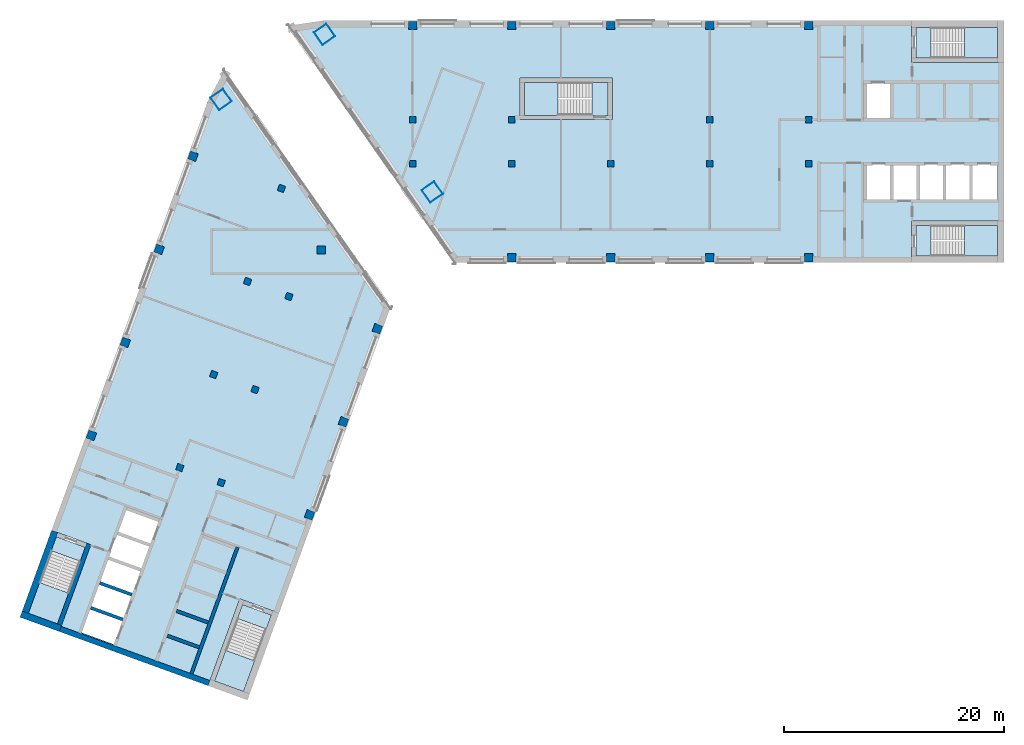
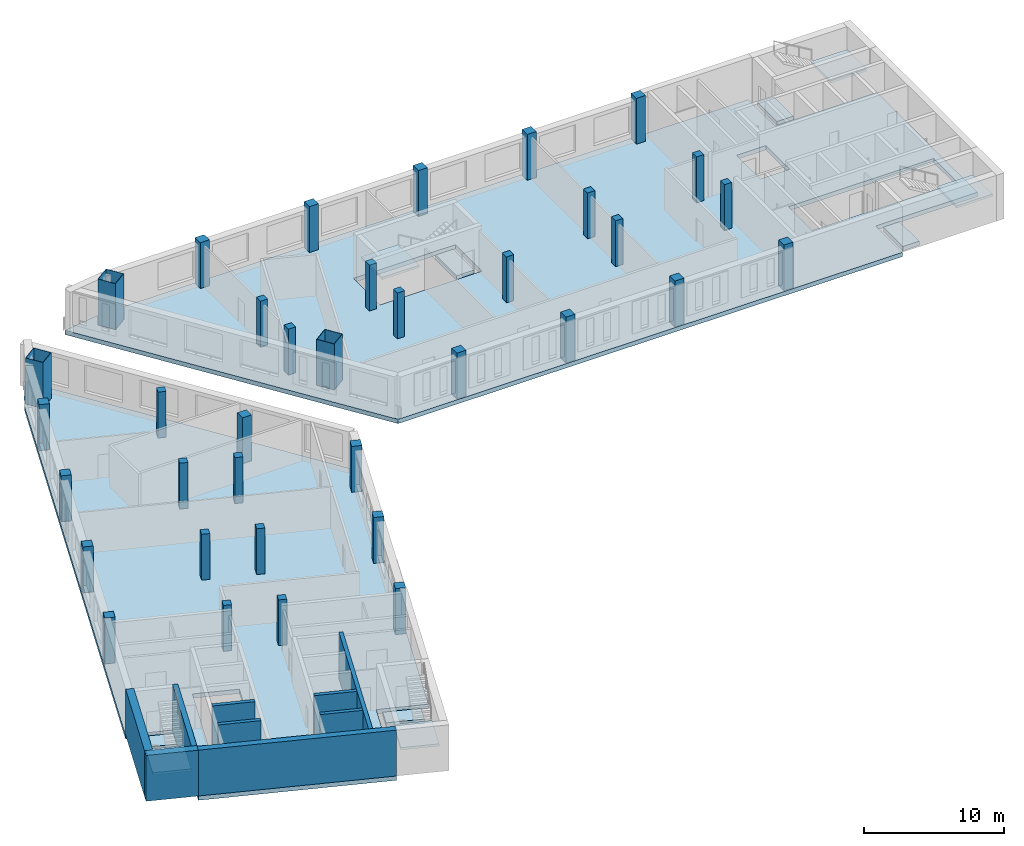
# One storey, part 1 of 8: 36 columns, 12 slabs, 9 walls, 5 elements without a shape of their own.
"""IFC4 building model written with IfcOpenShell, lengths in metres."""

from ifc_helpers import new_model, si_unit, direction, frame, frame_2d, origin, origin_2d, place, context, subcontext, project, spatial, polyline, rectangle, hollow_rectangle, outline, extrude, material, layer, layer_set, material_profile, profile_set, type_object, element, aggregate, save


model = new_model("IFC4")

# Units and contexts
model_context = context("Model", 3, precision=1e-05, world=origin(), true_north=direction((0.0, 1.0)))
body_context = subcontext(model_context, "Body", "Model", "MODEL_VIEW")
ifc_project = project(units=[si_unit("LENGTHUNIT", "METRE"), si_unit("AREAUNIT", "SQUARE_METRE"), si_unit("VOLUMEUNIT", "CUBIC_METRE"), si_unit("PLANEANGLEUNIT", "RADIAN"), si_unit("MASSUNIT", "GRAM", prefix="KILO")], contexts=[model_context])

# Site, building, storey
site_placement = place(None, origin())
site = spatial("IfcSite", under=ifc_project, at=site_placement, CompositionType="ELEMENT")
building_placement = place(site_placement, origin())
building = spatial("IfcBuilding", under=site, at=building_placement, Name="Skarvind Civic Tower", CompositionType="ELEMENT")
storey_placement = place(building_placement, frame((0.0, 0.0, 216.0)))
storey = spatial("IfcBuildingStorey", under=building, at=storey_placement, Name="L51", CompositionType="ELEMENT", Elevation=216.0)

# Columns
ifc_material_1 = material(Name="Concrete C60", Category="concrete")
ifc_material_profile_1 = material_profile(ifc_material_1, rectangle(XDim=0.60009765625, YDim=0.60009765625, at=origin_2d()), Name="RC-600x600")
ifc_profile_set_1 = profile_set([ifc_material_profile_1], Name="Concrete C60")
column_type_1 = type_object("IfcColumnType", Name="Column RC-600x600 C60", PredefinedType="COLUMN", material=ifc_profile_set_1)
for number, where, z_axis, x_axis, name in (
    (1, (54.25, 130.0, 0.0), (0.0, 0.0, 1.0), (1.0, 0.0, 0.0), "Column wing 1 north inner 02 L51"),
    (2, (63.25, 130.0, 0.0), (0.0, 0.0, 1.0), (1.0, 0.0, 0.0), "Column wing 1 north inner 03 L51"),
    (3, (81.25, 130.0, 0.0), (0.0, 0.0, 1.0), (1.0, 0.0, 0.0), "Column wing 1 north inner 05 L51"),
    (4, (90.25, 130.0, 0.0), (0.0, 0.0, 1.0), (1.0, 0.0, 0.0), "Column wing 1 north inner 06 L51"),
    (5, (54.25, 126.0, 0.0), (0.0, 0.0, 1.0), (1.0, 0.0, 0.0), "Column wing 1 south inner 02 L51"),
    (6, (63.25, 126.0, 0.0), (0.0, 0.0, 1.0), (1.0, 0.0, 0.0), "Column wing 1 south inner 03 L51"),
    (7, (72.25, 126.0, 0.0), (0.0, 0.0, 1.0), (1.0, 0.0, 0.0), "Column wing 1 south inner 04 L51"),
    (8, (81.25, 126.0, 0.0), (0.0, 0.0, 1.0), (1.0, 0.0, 0.0), "Column wing 1 south inner 05 L51"),
    (9, (90.25, 126.0, 0.0), (0.0, 0.0, 1.0), (1.0, 0.0, 0.0), "Column wing 1 south inner 06 L51"),
    (10, (43.005615234375, 113.92529296875, 0.0), (0.0, 0.0, 1.0), (-0.342020143326, -0.939692620786, 0.0), "Column wing 2 left inner 02 L51"),
    (11, (39.927490234375, 105.468017578125, 0.0), (0.0, 0.0, 1.0), (-0.342020143326, -0.939692620786, 0.0), "Column wing 2 left inner 03 L51"),
    (12, (36.84912109375, 97.010986328125, 0.0), (0.0, 0.0, 1.0), (-0.342020143326, -0.939692620786, 0.0), "Column wing 2 left inner 04 L51"),
    (13, (42.324951171875, 123.750732421875, 0.0), (0.0, 0.0, 1.0), (-0.342020143326, -0.939692620786, 0.0), "Column wing 2 right inner 01 L51"),
    (14, (39.246826171875, 115.29345703125, 0.0), (0.0, 0.0, 1.0), (-0.342020143326, -0.939692620786, 0.0), "Column wing 2 right inner 02 L51"),
    (15, (36.168701171875, 106.836181640625, 0.0), (0.0, 0.0, 1.0), (-0.342020143326, -0.939692620786, 0.0), "Column wing 2 right inner 03 L51"),
    (16, (33.090576171875, 98.37890625, 0.0), (0.0, 0.0, 1.0), (-0.342020143326, -0.939692620786, 0.0), "Column wing 2 right inner 04 L51"),
):
    element("IfcColumn", number, at=place(storey_placement, frame(where, z_axis=z_axis, x_axis=x_axis)), inside=storey, type_object=column_type_1, Name=name, PredefinedType="COLUMN", context=body_context, shape_type="SweptSolid", body=[
        extrude(rectangle(XDim=0.60009765625, YDim=0.60009765625, at=origin_2d()), origin(), (0.0, 0.0, 1.0), 4.0),
    ])
ifc_material_profile_2 = material_profile(ifc_material_1, rectangle(XDim=0.75, YDim=0.75, at=origin_2d()), Name="RC-750x750")
ifc_profile_set_2 = profile_set([ifc_material_profile_2], Name="Concrete C60")
column_type_2 = type_object("IfcColumnType", Name="Column RC-750x750 C60", PredefinedType="COLUMN", material=ifc_profile_set_2)
for number, where, z_axis, x_axis, name in (
    (17, (54.25, 138.550048828125, 0.0), (0.0, 0.0, 1.0), (1.0, 0.0, 0.0), "Column wing 1 north perimeter 02 L51"),
    (18, (63.25, 138.550048828125, 0.0), (0.0, 0.0, 1.0), (1.0, 0.0, 0.0), "Column wing 1 north perimeter 03 L51"),
    (19, (72.25, 138.550048828125, 0.0), (0.0, 0.0, 1.0), (1.0, 0.0, 0.0), "Column wing 1 north perimeter 04 L51"),
    (20, (81.25, 138.550048828125, 0.0), (0.0, 0.0, 1.0), (1.0, 0.0, 0.0), "Column wing 1 north perimeter 05 L51"),
    (21, (90.25, 138.550048828125, 0.0), (0.0, 0.0, 1.0), (1.0, 0.0, 0.0), "Column wing 1 north perimeter 06 L51"),
    (22, (45.95166015625, 118.151611328125, 0.0), (0.0, 0.0, 1.0), (1.0, 0.0, 0.0), "Column wing 1 south perimeter 01 L51"),
    (23, (63.25, 117.449951171875, 0.0), (0.0, 0.0, 1.0), (1.0, 0.0, 0.0), "Column wing 1 south perimeter 03 L51"),
    (24, (72.25, 117.449951171875, 0.0), (0.0, 0.0, 1.0), (1.0, 0.0, 0.0), "Column wing 1 south perimeter 04 L51"),
    (25, (81.25, 117.449951171875, 0.0), (0.0, 0.0, 1.0), (1.0, 0.0, 0.0), "Column wing 1 south perimeter 05 L51"),
    (26, (90.25, 117.449951171875, 0.0), (0.0, 0.0, 1.0), (1.0, 0.0, 0.0), "Column wing 1 south perimeter 06 L51"),
    (27, (51.0400390625, 111.0009765625, 0.0), (0.0, 0.0, 1.0), (-0.342020143326, -0.939692620786, 0.0), "Column wing 2 left perimeter 02 L51"),
    (28, (47.961669921875, 102.5439453125, 0.0), (0.0, 0.0, 1.0), (-0.342020143326, -0.939692620786, 0.0), "Column wing 2 left perimeter 03 L51"),
    (29, (44.883544921875, 94.086669921875, 0.0), (0.0, 0.0, 1.0), (-0.342020143326, -0.939692620786, 0.0), "Column wing 2 left perimeter 04 L51"),
    (30, (34.29052734375, 126.6748046875, 0.0), (0.0, 0.0, 1.0), (-0.342020143326, -0.939692620786, 0.0), "Column wing 2 right perimeter 01 L51"),
    (31, (31.21240234375, 118.2177734375, 0.0), (0.0, 0.0, 1.0), (-0.342020143326, -0.939692620786, 0.0), "Column wing 2 right perimeter 02 L51"),
    (32, (28.13427734375, 109.760498046875, 0.0), (0.0, 0.0, 1.0), (-0.342020143326, -0.939692620786, 0.0), "Column wing 2 right perimeter 03 L51"),
    (33, (25.05615234375, 101.30322265625, 0.0), (0.0, 0.0, 1.0), (-0.342020143326, -0.939692620786, 0.0), "Column wing 2 right perimeter 04 L51"),
):
    element("IfcColumn", number, at=place(storey_placement, frame(where, z_axis=z_axis, x_axis=x_axis)), inside=storey, type_object=column_type_2, Name=name, PredefinedType="COLUMN", context=body_context, shape_type="SweptSolid", body=[
        extrude(rectangle(XDim=0.75, YDim=0.75, at=origin_2d()), origin(), (0.0, 0.0, 1.0), 4.0),
    ])
ifc_material_2 = material(Name="Composite concrete-filled steel tube, Steel SM355 with Concrete C60", Category="concrete")
ifc_material_profile_3 = material_profile(ifc_material_2, hollow_rectangle(XDim=1.39990234375, YDim=1.39990234375, WallThickness=0.031982421875, at=origin_2d()), Name="BOX-1400x1400x32")
ifc_profile_set_3 = profile_set([ifc_material_profile_3], Name="Composite concrete-filled steel tube, Steel SM355 with Concrete C60")
column_type_3 = type_object("IfcColumnType", Name="Mega column BOX-1400x1400x32 filled C60", PredefinedType="COLUMN", material=ifc_profile_set_3)
for number, where, z_axis, x_axis, name in (
    (34, (36.845947265625, 131.837646484375, 0.0), (0.0, 0.0, 1.0), (0.573576436351, -0.819152044289, 0.0), "Mega column 1 L51"),
    (35, (46.2470703125, 137.762451171875, 0.0), (0.0, 0.0, 1.0), (0.573576436351, -0.819152044289, 0.0), "Mega column 2 L51"),
    (36, (56.0361328125, 123.43017578125, 0.0), (0.0, 0.0, 1.0), (0.573576436351, -0.819152044289, 0.0), "Mega column 4 L51"),
):
    element("IfcColumn", number, at=place(storey_placement, frame(where, z_axis=z_axis, x_axis=x_axis)), inside=storey, type_object=column_type_3, Name=name, PredefinedType="COLUMN", context=body_context, shape_type="SweptSolid", body=[
        extrude(hollow_rectangle(XDim=1.39990234375, YDim=1.39990234375, WallThickness=0.031982421875, at=origin_2d()), origin(), (0.0, 0.0, 1.0), 4.0),
    ])

# Slabs
ifc_material_3 = material(Name="Concrete C50", Category="concrete")
ifc_layer_1 = layer(ifc_material_3, 0.375)
ifc_layer_set_1 = layer_set([ifc_layer_1], Name="Floor slab 375 C50")
slab_type_1 = type_object("IfcSlabType", Name="Floor slab 375 C50", PredefinedType="FLOOR", material=ifc_layer_set_1)
slab_1_placement = place(storey_placement, frame((0.0, 0.0, -0.375)))
element("IfcSlab", 37, at=slab_1_placement, inside=storey, type_object=slab_type_1, Name="Floor slab L51 1", PredefinedType="FLOOR", context=body_context, shape_type="SweptSolid", body=[
    extrude(outline(polyline([(108.0, 135.199951171875), (99.60009765625, 135.199951171875), (99.60009765625, 139.0), (46.095458984375, 139.0), (42.90283203125, 138.525146484375), (57.97509765625, 117.0), (99.60009765625, 117.0), (99.60009765625, 120.800048828125), (108.0, 120.800048828125), (108.0, 135.199951171875)]), holes=[polyline([(64.0, 130.0), (64.0, 133.800048828125), (72.39990234375, 133.800048828125), (72.39990234375, 130.0), (64.0, 130.0)]), polyline([(100.199951171875, 126.0), (102.60009765625, 126.0), (105.0, 126.0), (107.39990234375, 126.0), (107.39990234375, 122.60009765625), (105.0, 122.60009765625), (102.60009765625, 122.60009765625), (100.199951171875, 122.60009765625), (97.800048828125, 122.60009765625), (95.39990234375, 122.60009765625), (95.39990234375, 126.0), (97.800048828125, 126.0), (100.199951171875, 126.0)]), polyline([(97.800048828125, 130.0), (95.39990234375, 130.0), (95.39990234375, 133.39990234375), (97.800048828125, 133.39990234375), (97.800048828125, 130.0)])]), origin(), (0.0, 0.0, 1.0), 0.375),
])
slab_2_placement = place(storey_placement, frame((0.0, 0.0, -0.375)))
element("IfcSlab", 38, at=slab_2_placement, inside=storey, type_object=slab_type_1, Name="Floor slab L51 2", PredefinedType="FLOOR", context=body_context, shape_type="SweptSolid", body=[
    extrude(outline(polyline([(36.886474609375, 78.108154296875), (35.664794921875, 78.552734375), (38.53759765625, 86.4462890625), (42.108642578125, 85.146484375), (40.0908203125, 79.602294921875), (40.0908203125, 79.602294921875), (52.240966796875, 112.985107421875), (37.168701171875, 134.51025390625), (35.630615234375, 131.672607421875), (19.41748046875, 87.126708984375), (21.435302734375, 92.6708984375), (25.006103515625, 91.371337890625), (22.13330078125, 83.477783203125), (36.886474609375, 78.108154296875)]), holes=[polyline([(25.671630859375, 87.9365234375), (26.492431640625, 90.19189453125), (27.313232421875, 92.447021484375), (28.134033203125, 94.702392578125), (31.3291015625, 93.53955078125), (30.50830078125, 91.2841796875), (29.6875, 89.029052734375), (28.866455078125, 86.773681640625), (28.866455078125, 86.773681640625), (28.045654296875, 84.5185546875), (27.224853515625, 82.26318359375), (24.02978515625, 83.426025390625), (24.8505859375, 85.681396484375), (25.671630859375, 87.9365234375), (25.671630859375, 87.9365234375)])]), origin(), (0.0, 0.0, 1.0), 0.375),
])
ifc_material_4 = material(Name="Concrete C40/50", Category="concrete")
ifc_layer_2 = layer(ifc_material_4, 0.375)
ifc_layer_set_2 = layer_set([ifc_layer_2], Name="Stair floor landing slab 375")
slab_type_2 = type_object("IfcSlabType", Name="Stair floor landing slab 375", PredefinedType="LANDING", material=ifc_layer_set_2)
slab_3_placement = place(storey_placement, frame((0.0, 0.0, -0.375)))
element("IfcSlab", 39, at=slab_3_placement, inside=storey, type_object=slab_type_2, Name="Stair floor landing", PredefinedType="LANDING", context=body_context, shape_type="SweptSolid", body=[
    extrude(outline(polyline([(101.3505859375, 138.400634765625), (101.3505859375, 135.599365234375), (99.99951171875, 135.599365234375), (99.99951171875, 138.400634765625), (101.3505859375, 138.400634765625)])), origin(), (0.0, 0.0, 1.0), 0.375),
])
slab_4_placement = place(storey_placement, frame((0.0, 0.0, -0.375)))
element("IfcSlab", 40, at=slab_4_placement, inside=storey, type_object=slab_type_2, Name="Stair floor landing", PredefinedType="LANDING", context=body_context, shape_type="SweptSolid", body=[
    extrude(outline(polyline([(101.3505859375, 120.400634765625), (101.3505859375, 117.599365234375), (99.99951171875, 117.599365234375), (99.99951171875, 120.400634765625), (101.3505859375, 120.400634765625)])), origin(), (0.0, 0.0, 1.0), 0.375),
])
slab_5_placement = place(storey_placement, frame((0.0, 0.0, -0.375)))
element("IfcSlab", 41, at=slab_5_placement, inside=storey, type_object=slab_type_2, Name="Stair floor landing", PredefinedType="LANDING", context=body_context, shape_type="SweptSolid", body=[
    extrude(outline(polyline([(40.946533203125, 83.70654296875), (38.314208984375, 84.66455078125), (38.7763671875, 85.934326171875), (41.40869140625, 84.976318359375), (40.946533203125, 83.70654296875)])), origin(), (0.0, 0.0, 1.0), 0.375),
])
slab_6_placement = place(storey_placement, frame((0.0, 0.0, -0.375)))
element("IfcSlab", 42, at=slab_6_placement, inside=storey, type_object=slab_type_2, Name="Stair floor landing", PredefinedType="LANDING", context=body_context, shape_type="SweptSolid", body=[
    extrude(outline(polyline([(24.0322265625, 89.863037109375), (21.39990234375, 90.821044921875), (21.862060546875, 92.090576171875), (24.494384765625, 91.132568359375), (24.0322265625, 89.863037109375)])), origin(), (0.0, 0.0, 1.0), 0.375),
])
slab_7_placement = place(storey_placement, frame((0.0, 0.0, -0.375)))
element("IfcSlab", 43, at=slab_7_placement, inside=storey, type_object=slab_type_2, Name="Stair floor landing", PredefinedType="LANDING", context=body_context, shape_type="SweptSolid", body=[
    extrude(outline(polyline([(70.54931640625, 130.3994140625), (70.54931640625, 133.400634765625), (72.00048828125, 133.400634765625), (72.00048828125, 130.3994140625), (70.54931640625, 130.3994140625)])), origin(), (0.0, 0.0, 1.0), 0.375),
])

# Stair, slab
stair_type_1 = type_object("IfcStairType", Name="Exit stair, half-turn, concrete", PredefinedType="HALF_TURN_STAIR", material=ifc_material_4)
stair_1_placement = place(storey_placement, origin())
stair_1 = element("IfcStair", 44, at=stair_1_placement, inside=storey, type_object=stair_type_1, Name="Exit stair C1S", PredefinedType="HALF_TURN_STAIR")
ifc_layer_3 = layer(ifc_material_4, 0.199951171875)
ifc_layer_set_3 = layer_set([ifc_layer_3], Name="Stair half landing slab")
slab_type_3 = type_object("IfcSlabType", Name="Stair half landing slab", PredefinedType="LANDING", material=ifc_layer_set_3)
slab_8_placement = place(storey_placement, frame((0.0, 0.0, 1.800048828125)))
slab_8 = element("IfcSlab", 45, at=slab_8_placement, type_object=slab_type_3, Name="ST-C1S landing 1", PredefinedType="LANDING", context=body_context, shape_type="SweptSolid", body=[
    extrude(outline(polyline([(104.429443359375, 135.599365234375), (104.429443359375, 138.400634765625), (107.400634765625, 138.400634765625), (107.400634765625, 135.599365234375), (104.429443359375, 135.599365234375)])), origin(), (0.0, 0.0, 1.0), 0.199951171875),
])
aggregate(stair_1, [slab_8])

stair_2_placement = place(storey_placement, origin())
stair_2 = element("IfcStair", 46, at=stair_2_placement, inside=storey, type_object=stair_type_1, Name="Exit stair C1N", PredefinedType="HALF_TURN_STAIR")
slab_9_placement = place(storey_placement, frame((0.0, 0.0, 1.800048828125)))
slab_9 = element("IfcSlab", 47, at=slab_9_placement, type_object=slab_type_3, Name="ST-C1N landing 1", PredefinedType="LANDING", context=body_context, shape_type="SweptSolid", body=[
    extrude(outline(polyline([(104.429443359375, 117.599365234375), (104.429443359375, 120.400634765625), (107.400634765625, 120.400634765625), (107.400634765625, 117.599365234375), (104.429443359375, 117.599365234375)])), origin(), (0.0, 0.0, 1.0), 0.199951171875),
])
aggregate(stair_2, [slab_9])

stair_3_placement = place(storey_placement, origin())
stair_3 = element("IfcStair", 48, at=stair_3_placement, inside=storey, type_object=stair_type_1, Name="Exit stair C2S", PredefinedType="HALF_TURN_STAIR")
slab_10_placement = place(storey_placement, frame((0.0, 0.0, 1.800048828125)))
slab_10 = element("IfcSlab", 49, at=slab_10_placement, type_object=slab_type_3, Name="ST-C2S landing 1", PredefinedType="LANDING", context=body_context, shape_type="SweptSolid", body=[
    extrude(outline(polyline([(37.26123046875, 81.771484375), (39.8935546875, 80.8134765625), (38.87744140625, 78.021484375), (36.2451171875, 78.9794921875), (37.26123046875, 81.771484375)])), origin(), (0.0, 0.0, 1.0), 0.199951171875),
])
aggregate(stair_3, [slab_10])

stair_4_placement = place(storey_placement, origin())
stair_4 = element("IfcStair", 50, at=stair_4_placement, inside=storey, type_object=stair_type_1, Name="Exit stair C2N", PredefinedType="HALF_TURN_STAIR")
slab_11_placement = place(storey_placement, frame((0.0, 0.0, 1.800048828125)))
slab_11 = element("IfcSlab", 51, at=slab_11_placement, type_object=slab_type_3, Name="ST-C2N landing 1", PredefinedType="LANDING", context=body_context, shape_type="SweptSolid", body=[
    extrude(outline(polyline([(20.346923828125, 87.927734375), (22.97900390625, 86.9697265625), (21.962890625, 84.177734375), (19.33056640625, 85.1357421875), (20.346923828125, 87.927734375)])), origin(), (0.0, 0.0, 1.0), 0.199951171875),
])
aggregate(stair_4, [slab_11])

stair_type_2 = type_object("IfcStairType", Name="Exit stair 1450, half-turn, concrete", PredefinedType="HALF_TURN_STAIR", material=ifc_material_4)
stair_5_placement = place(storey_placement, origin())
stair_5 = element("IfcStair", 52, at=stair_5_placement, inside=storey, type_object=stair_type_2, Name="Exit stair CM", PredefinedType="HALF_TURN_STAIR")
slab_12_placement = place(storey_placement, frame((0.0, 0.0, 1.800048828125)))
slab_12 = element("IfcSlab", 53, at=slab_12_placement, type_object=slab_type_3, Name="ST-CM landing 1", PredefinedType="LANDING", context=body_context, shape_type="SweptSolid", body=[
    extrude(outline(polyline([(67.470703125, 133.400634765625), (67.470703125, 130.3994140625), (64.3994140625, 130.3994140625), (64.3994140625, 133.400634765625), (67.470703125, 133.400634765625)])), origin(), (0.0, 0.0, 1.0), 0.199951171875),
])
aggregate(stair_5, [slab_12])

# Walls
ifc_layer_4 = layer(ifc_material_1, 0.300048828125)
ifc_layer_set_4 = layer_set([ifc_layer_4], Name="Core wall 300 C60")
wall_type_1 = type_object("IfcWallType", Name="Core wall 300 C60", PredefinedType="SHEAR", material=ifc_layer_set_4)
wall_1_placement = place(storey_placement, frame((34.144287109375, 79.638427734375, 0.0), z_axis=(0.0, 0.0, 1.0), x_axis=(0.342016684409, 0.939693879721, 0.0)))
element("IfcWall", 54, at=wall_1_placement, inside=storey, type_object=wall_type_1, Name="Core wall C2 south lift row back L51", PredefinedType="SHEAR", context=body_context, shape_type="SweptSolid", body=[
    extrude(rectangle(XDim=12.25, YDim=0.300048828125, at=frame_2d((6.125, 0.0))), origin(), (0.0, 0.0, 1.0), 4.0),
])
wall_2_placement = place(storey_placement, frame((34.8583984375, 82.038818359375, 0.0), z_axis=(0.0, 0.0, 1.0), x_axis=(-0.939689908313, 0.342027595692, 0.0)))
element("IfcWall", 55, at=wall_2_placement, inside=storey, type_object=wall_type_1, Name="Core wall C2 south lift row division 1 L51", PredefinedType="SHEAR", context=body_context, shape_type="SweptSolid", body=[
    extrude(rectangle(XDim=3.10009765625, YDim=0.300048828125, at=frame_2d((1.550048828125, 0.0))), origin(), (0.0, 0.0, 1.0), 4.0),
])
wall_3_placement = place(storey_placement, frame((35.67919921875, 84.294189453125, 0.0), z_axis=(0.0, 0.0, 1.0), x_axis=(-0.939706007505, 0.341983361377, 0.0)))
element("IfcWall", 56, at=wall_3_placement, inside=storey, type_object=wall_type_1, Name="Core wall C2 south lift row division 2 L51", PredefinedType="SHEAR", context=body_context, shape_type="SweptSolid", body=[
    extrude(rectangle(XDim=3.099853515625, YDim=0.300048828125, at=frame_2d((1.5498046875, 0.0))), origin(), (0.0, 0.0, 1.0), 4.0),
])
for number, where, z_axis, x_axis, name in (
    (57, (27.90478515625, 84.56982421875, 0.0), (0.0, 0.0, 1.0), (-0.939689908313, 0.342027595692, 0.0), "Core wall C2 north lift row division 1 L51"),
    (58, (28.7255859375, 86.824951171875, 0.0), (0.0, 0.0, 1.0), (-0.939689908313, 0.342027595692, 0.0), "Core wall C2 north lift row division 2 L51"),
):
    element("IfcWall", number, at=place(storey_placement, frame(where, z_axis=z_axis, x_axis=x_axis)), inside=storey, type_object=wall_type_1, Name=name, PredefinedType="SHEAR", context=body_context, shape_type="SweptSolid", body=[
        extrude(rectangle(XDim=3.10009765625, YDim=0.300048828125, at=frame_2d((1.550048828125, 0.0))), origin(), (0.0, 0.0, 1.0), 4.0),
    ])
ifc_layer_5 = layer(ifc_material_1, 0.39990234375)
ifc_layer_set_5 = layer_set([ifc_layer_5], Name="Core wall 400 C60")
wall_type_2 = type_object("IfcWallType", Name="Core wall 400 C60", PredefinedType="SHEAR", material=ifc_layer_set_5)
wall_4_placement = place(storey_placement, frame((22.150390625, 84.110107421875, 0.0), z_axis=(0.0, 0.0, 1.0), x_axis=(0.342016982193, 0.939693771338, 0.0)))
element("IfcWall", 59, at=wall_4_placement, inside=storey, type_object=wall_type_2, Name="Core wall C2 north stair inner L51", PredefinedType="SHEAR", context=body_context, shape_type="SweptSolid", body=[
    extrude(rectangle(XDim=7.800048828125, YDim=0.39990234375, at=frame_2d((3.89990234375, 0.0))), origin(), (0.0, 0.0, 1.0), 4.0),
])
ifc_layer_6 = layer(ifc_material_1, 0.5)
ifc_layer_set_6 = layer_set([ifc_layer_6], Name="Core wall 500 C60")
wall_type_3 = type_object("IfcWallType", Name="Core wall 500 C60", PredefinedType="SHEAR", material=ifc_layer_set_6)
wall_5_placement = place(storey_placement, frame((35.750244140625, 78.787841796875, 0.0), z_axis=(0.0, 0.0, 1.0), x_axis=(-0.939692894512, 0.342019391267, 0.0)))
element("IfcWall", 60, at=wall_5_placement, inside=storey, type_object=wall_type_3, Name="Core wall C2 tip between the stairs L51", PredefinedType="SHEAR", context=body_context, shape_type="SweptSolid", body=[
    extrude(rectangle(XDim=14.39990234375, YDim=0.5, at=frame_2d((7.199951171875, 0.0))), origin(), (0.0, 0.0, 1.0), 4.0),
])
ifc_layer_7 = layer(ifc_material_1, 0.60009765625)
ifc_layer_set_7 = layer_set([ifc_layer_7], Name="Core wall 600 C60")
wall_type_4 = type_object("IfcWallType", Name="Core wall 600 C60", PredefinedType="SHEAR", material=ifc_layer_set_7)
wall_6_placement = place(storey_placement, frame((22.23583984375, 83.759765625, 0.0), z_axis=(0.0, 0.0, 1.0), x_axis=(-0.939680822529, 0.342052557032, 0.0)))
element("IfcWall", 61, at=wall_6_placement, inside=storey, type_object=wall_type_4, Name="Core wall C2 tip at the north stair L51", PredefinedType="SHEAR", context=body_context, shape_type="SweptSolid", body=[
    extrude(rectangle(XDim=3.800048828125, YDim=0.60009765625, at=frame_2d((1.89990234375, 0.0))), origin(), (0.0, 0.0, 1.0), 4.0),
])
wall_7_placement = place(storey_placement, frame((19.049560546875, 85.23876953125, 0.0), z_axis=(0.0, 0.0, 1.0), x_axis=(0.342016982193, 0.939693771338, 0.0)))
element("IfcWall", 62, at=wall_7_placement, inside=storey, type_object=wall_type_4, Name="Core wall C2 north side at the stair L51", PredefinedType="SHEAR", context=body_context, shape_type="SweptSolid", body=[
    extrude(rectangle(XDim=7.800048828125, YDim=0.60009765625, at=frame_2d((3.89990234375, 0.0))), origin(), (0.0, 0.0, 1.0), 4.0),
])

save(model, "model.ifc")
